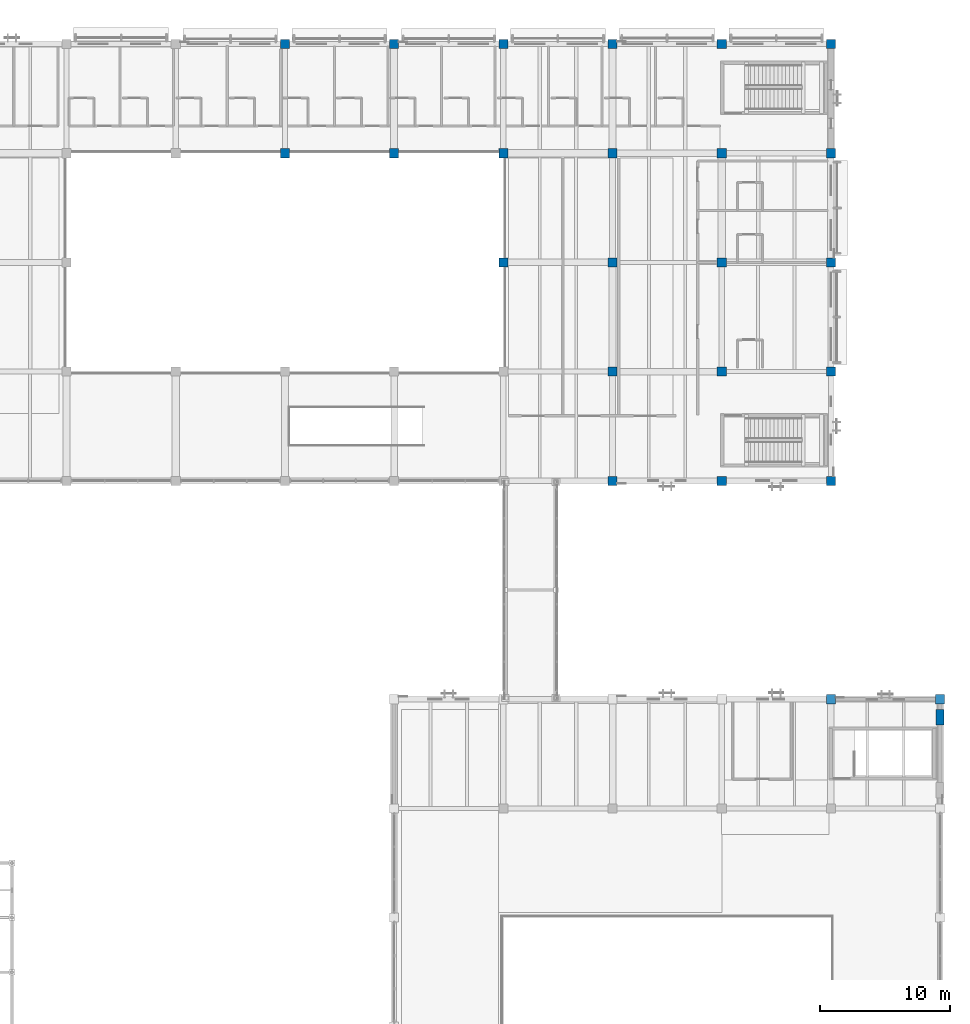
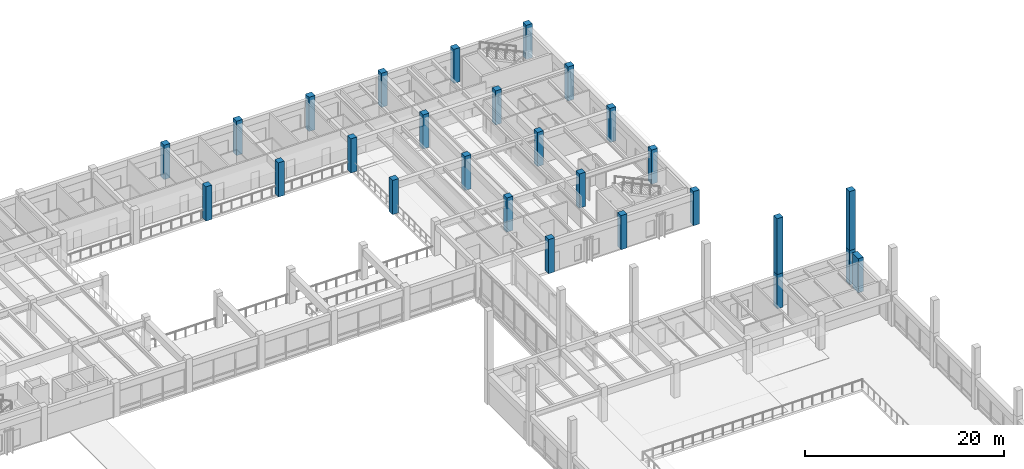
# One storey, part 8 of 132: 27 columns.
"""IFC4 building model written with IfcOpenShell, lengths in metres."""

import ifcopenshell
import ifcopenshell.guid

model = None  # the IFC model being written
_history = None  # IfcOwnerHistory: only IFC2X3 demands one
_inside = {}  # id of a spatial element -> (the spatial element, [elements in it])
_under = {}  # id of a project, library or spatial element -> (it, [spatial elements below it])
_declared = {}  # id of a project -> (the project, [libraries it declares])
_typed = {}  # id of a type object -> (the type object, [elements of that type])
_made_of = {}  # id of a material, layer set ... -> (it, [elements and type objects made of it])


def new_model(schema):
    """Start an empty IFC model of exactly this schema.

    Asked for "IFC4X3", IfcOpenShell would pick the latest addendum, in which some entities
    have other attributes; the version numbers below select the first issue.
    IFC2X3 requires an IfcOwnerHistory on every rooted entity: one is made here for all.
    """
    global model, _history
    if schema == "IFC4X3":
        model = ifcopenshell.file(schema_version=(4, 3, 0, 0))
    else:
        model = ifcopenshell.file(schema=schema)
    _inside.clear()
    _under.clear()
    _declared.clear()
    _typed.clear()
    _made_of.clear()
    _history = None
    if model.schema == "IFC2X3":
        org = make("IfcOrganization", Name="unknown")
        user = make(
            "IfcPersonAndOrganization",
            ThePerson=make("IfcPerson", FamilyName="unknown"),
            TheOrganization=org,
        )
        app = make(
            "IfcApplication",
            ApplicationDeveloper=org,
            Version="unknown",
            ApplicationFullName="unknown",
            ApplicationIdentifier="unknown",
        )
        _history = make(
            "IfcOwnerHistory",
            OwningUser=user,
            OwningApplication=app,
            ChangeAction="ADDED",
            CreationDate=0,
        )
    return model


def make(cls, **values):
    """One entity of the class cls with the attributes given. An attribute that is None is left unset."""
    return model.create_entity(
        cls, **{name: value for name, value in values.items() if value is not None}
    )


def rooted(cls, **values):
    """An entity with a GlobalId (a new one), such as an element, a storey or a relation."""
    return make(cls, GlobalId=ifcopenshell.guid.new(), OwnerHistory=_history, **values)


def si_unit(unit_type, name, prefix=None):
    """IfcSIUnit, for example si_unit("LENGTHUNIT", "METRE", prefix="MILLI")."""
    return make("IfcSIUnit", UnitType=unit_type, Prefix=prefix, Name=name)


def assignment(units):
    """IfcUnitAssignment: the units of a project."""
    return None if units is None else make("IfcUnitAssignment", Units=units)


def point(xyz):
    """IfcCartesianPoint."""
    return None if xyz is None else make("IfcCartesianPoint", Coordinates=xyz)


def direction(xyz):
    """IfcDirection."""
    return None if xyz is None else make("IfcDirection", DirectionRatios=xyz)


def frame(location, z_axis=None, x_axis=None):
    """IfcAxis2Placement3D, a coordinate frame: its origin and axes. An axis left out is left unset."""
    return make(
        "IfcAxis2Placement3D",
        Location=point(location),
        Axis=direction(z_axis),
        RefDirection=direction(x_axis),
    )


def frame_2d(location, x_axis=None):
    """IfcAxis2Placement2D, a coordinate frame in the plane: its origin and x axis."""
    return make(
        "IfcAxis2Placement2D", Location=point(location), RefDirection=direction(x_axis)
    )


def origin():
    """The frame at (0, 0, 0) with its axes left unset."""
    return frame((0.0, 0.0, 0.0))


def origin_2d():
    """The frame at (0, 0) in the plane with its x axis left unset."""
    return frame_2d((0.0, 0.0))


def place(relative_to, where):
    """IfcLocalPlacement: puts the frame where relative to a parent placement (None: the world)."""
    return make(
        "IfcLocalPlacement", PlacementRelTo=relative_to, RelativePlacement=where
    )


def context(
    kind, dimensions, precision=None, world=None, true_north=None, identifier=None
):
    """IfcGeometricRepresentationContext, for example the 3D "Model" context."""
    return make(
        "IfcGeometricRepresentationContext",
        ContextIdentifier=identifier,
        ContextType=kind,
        CoordinateSpaceDimension=dimensions,
        Precision=precision,
        WorldCoordinateSystem=world,
        TrueNorth=true_north,
    )


def subcontext(parent, identifier, kind, view, scale=None):
    """IfcGeometricRepresentationSubContext, for example "Body" below "Model"."""
    return make(
        "IfcGeometricRepresentationSubContext",
        ContextIdentifier=identifier,
        ContextType=kind,
        ParentContext=parent,
        TargetScale=scale,
        TargetView=view,
    )


def project(units=None, contexts=None):
    """IfcProject with its units and contexts."""
    return rooted(
        "IfcProject",
        Name="project",
        RepresentationContexts=contexts,
        UnitsInContext=assignment(units),
    )


def spatial(cls, under=None, at=None, **own):
    """A site, building, storey or space (cls), placed at a placement, below another one or the project."""
    s = rooted(cls, ObjectPlacement=at, **own)
    if under is not None:
        _under.setdefault(under.id(), (under, []))[1].append(s)
    return s


def profile(cls, at=None, kind="AREA", **sizes):
    """A parametric profile (cls). Its sizes go by their IFC names, for example OverallWidth=200.0."""
    return make(cls, ProfileType=kind, Position=at, **sizes)


def rectangle(**sizes):
    """IfcRectangleProfileDef."""
    return profile("IfcRectangleProfileDef", **sizes)


def extrude(swept, where, along, depth):
    """IfcExtrudedAreaSolid: the profile swept, set in the frame where, extruded along a direction by depth."""
    return make(
        "IfcExtrudedAreaSolid",
        SweptArea=swept,
        Position=where,
        ExtrudedDirection=direction(along),
        Depth=depth,
    )


def shape(context_of_items, identifier, shape_type, items):
    """IfcShapeRepresentation: the items that make up one representation, for example the "Body"."""
    return make(
        "IfcShapeRepresentation",
        ContextOfItems=context_of_items,
        RepresentationIdentifier=identifier,
        RepresentationType=shape_type,
        Items=items,
    )


def material(Name=None, Category=None):
    """IfcMaterial."""
    return make("IfcMaterial", Name=Name, Category=Category)


def material_profile(
    of_material, cross_section, Name=None, Category=None, Priority=None
):
    """IfcMaterialProfile: a cross section and its material."""
    return make(
        "IfcMaterialProfile",
        Name=Name,
        Material=of_material,
        Profile=cross_section,
        Priority=Priority,
        Category=Category,
    )


def profile_set(profiles, Name=None, composite=None):
    """IfcMaterialProfileSet."""
    return make(
        "IfcMaterialProfileSet",
        Name=Name,
        MaterialProfiles=profiles,
        CompositeProfile=composite,
    )


def made_of(thing, what):
    """Note that an element or type object is made of a material, layer set ...; save() writes the relation."""
    if what is not None:
        _made_of.setdefault(what.id(), (what, []))[1].append(thing)
    return thing


def type_object(cls, material=None, **own):
    """A type object (cls), such as IfcWallType, which elements share."""
    return made_of(rooted(cls, **own), material)


def element(
    cls,
    number,
    at=None,
    inside=None,
    cuts=None,
    type_object=None,
    material=None,
    context=None,
    identifier="Body",
    shape_type=None,
    held_by="IfcProductDefinitionShape",
    body=None,
    shapes=None,
    **own,
):
    """One element of the class cls, such as IfcWall. Its Tag is "e" and its number.

    at: its placement. inside: the storey or other place that contains it. cuts: it is an
    opening in that element (IfcRelVoidsElement). A single representation is given by context,
    identifier, shape_type and body (its items); several are given by shapes. held_by: the class
    of the entity that holds the representations. save() writes the other relations.
    """
    e = rooted(cls, Tag="e%d" % number, ObjectPlacement=at, **own)
    if body is not None:
        shapes = [shape(context, identifier, shape_type, body)]
    if shapes is not None:
        e.Representation = make(held_by, Representations=shapes)
    if inside is not None:
        _inside.setdefault(inside.id(), (inside, []))[1].append(e)
    if cuts is not None:
        rooted(
            "IfcRelVoidsElement", RelatingBuildingElement=cuts, RelatedOpeningElement=e
        )
    if type_object is not None:
        _typed.setdefault(type_object.id(), (type_object, []))[1].append(e)
    return made_of(e, material)


def aggregate(whole, parts):
    """IfcRelAggregates: a whole, such as a stair, and the parts it consists of."""
    return rooted("IfcRelAggregates", RelatingObject=whole, RelatedObjects=parts)


def save(model, path):
    """Write the relations noted so far, then the file.

    IfcRelAggregates (storeys below a building ...), IfcRelContainedInSpatialStructure (elements
    in a storey), IfcRelDefinesByType, IfcRelAssociatesMaterial and IfcRelDeclares: one each for
    every whole, place, type object, material and project.
    """
    for whole, parts in _under.values():
        aggregate(whole, parts)
    for where, things in _inside.values():
        rooted(
            "IfcRelContainedInSpatialStructure",
            RelatedElements=things,
            RelatingStructure=where,
        )
    for kind, things in _typed.values():
        rooted("IfcRelDefinesByType", RelatedObjects=things, RelatingType=kind)
    for what, things in _made_of.values():
        rooted("IfcRelAssociatesMaterial", RelatedObjects=things, RelatingMaterial=what)
    for by, libraries in _declared.values():
        rooted("IfcRelDeclares", RelatingContext=by, RelatedDefinitions=libraries)
    model.write(path)


model = new_model("IFC4")

# Units and contexts
model_context = context("Model", 3, precision=1e-05, world=origin(), true_north=direction((0.0, 1.0)))
body_context = subcontext(model_context, "Body", "Model", "MODEL_VIEW")
ifc_project = project(units=[si_unit("LENGTHUNIT", "METRE"), si_unit("AREAUNIT", "SQUARE_METRE"), si_unit("VOLUMEUNIT", "CUBIC_METRE"), si_unit("PLANEANGLEUNIT", "RADIAN"), si_unit("MASSUNIT", "GRAM", prefix="KILO")], contexts=[model_context])

# Site, building, storey
site_placement = place(None, origin())
site = spatial("IfcSite", under=ifc_project, at=site_placement, CompositionType="ELEMENT")
building_placement = place(site_placement, origin())
building = spatial("IfcBuilding", under=site, at=building_placement, Name="Cumbredor Promenade Congress Hotel", CompositionType="ELEMENT")
storey_placement = place(building_placement, frame((0.0, 0.0, 7.56005859375)))
storey = spatial("IfcBuildingStorey", under=building, at=storey_placement, Name="L02", CompositionType="ELEMENT", Elevation=7.56005859375)

# Columns
ifc_material_1 = material(Name="Concrete C40/50", Category="concrete")
ifc_material_profile_1 = material_profile(ifc_material_1, rectangle(XDim=0.699951171875, YDim=0.699951171875, at=origin_2d()), Name="RC 700x700")
ifc_profile_set_1 = profile_set([ifc_material_profile_1], Name="Concrete C40/50")
column_type_1 = type_object("IfcColumnType", Name="COL-RC-700", PredefinedType="COLUMN", material=ifc_profile_set_1)
for number, where, z_axis, x_axis, name in (
    (1, (134.39990234375, 109.199951171875, 0.0), (0.0, 0.0, 1.0), (1.0, 0.0, 0.0), "L02 Structural Column 127"),
    (2, (134.39990234375, 117.60009765625, 0.0), (0.0, 0.0, 1.0), (1.0, 0.0, 0.0), "L02 Structural Column 128"),
    (3, (142.800048828125, 109.199951171875, 0.0), (0.0, 0.0, 1.0), (1.0, 0.0, 0.0), "L02 Structural Column 139"),
    (4, (142.800048828125, 117.60009765625, 0.0), (0.0, 0.0, 1.0), (1.0, 0.0, 0.0), "L02 Structural Column 140"),
    (5, (151.199951171875, 100.800048828125, 0.0), (0.0, 0.0, 1.0), (1.0, 0.0, 0.0), "L02 Structural Column 147"),
    (6, (151.199951171875, 109.199951171875, 0.0), (0.0, 0.0, 1.0), (1.0, 0.0, 0.0), "L02 Structural Column 148"),
    (7, (151.199951171875, 117.60009765625, 0.0), (0.0, 0.0, 1.0), (1.0, 0.0, 0.0), "L02 Structural Column 149"),
    (8, (159.60009765625, 84.0, 0.0), (0.0, 0.0, 1.0), (1.0, 0.0, 0.0), "L02 Structural Column 154"),
    (9, (159.60009765625, 92.39990234375, 0.0), (0.0, 0.0, 1.0), (1.0, 0.0, 0.0), "L02 Structural Column 155"),
    (10, (159.60009765625, 100.800048828125, 0.0), (0.0, 0.0, 1.0), (1.0, 0.0, 0.0), "L02 Structural Column 156"),
    (11, (159.60009765625, 109.199951171875, 0.0), (0.0, 0.0, 1.0), (1.0, 0.0, 0.0), "L02 Structural Column 157"),
    (12, (159.60009765625, 117.60009765625, 0.0), (0.0, 0.0, 1.0), (1.0, 0.0, 0.0), "L02 Structural Column 158"),
    (13, (168.0, 84.0, 0.0), (0.0, 0.0, 1.0), (1.0, 0.0, 0.0), "L02 Structural Column 163"),
    (14, (168.0, 92.39990234375, 0.0), (0.0, 0.0, 1.0), (1.0, 0.0, 0.0), "L02 Structural Column 164"),
    (15, (168.0, 100.800048828125, 0.0), (0.0, 0.0, 1.0), (1.0, 0.0, 0.0), "L02 Structural Column 165"),
    (16, (168.0, 109.199951171875, 0.0), (0.0, 0.0, 1.0), (1.0, 0.0, 0.0), "L02 Structural Column 166"),
    (17, (168.0, 117.60009765625, 0.0), (0.0, 0.0, 1.0), (1.0, 0.0, 0.0), "L02 Structural Column 167"),
    (18, (176.39990234375, 67.199951171875, 0.0), (0.0, 0.0, 1.0), (1.0, 0.0, 0.0), "L02 Structural Column 171"),
    (19, (176.39990234375, 84.0, 0.0), (0.0, 0.0, 1.0), (1.0, 0.0, 0.0), "L02 Structural Column 172"),
    (20, (176.39990234375, 92.39990234375, 0.0), (0.0, 0.0, 1.0), (1.0, 0.0, 0.0), "L02 Structural Column 173"),
    (21, (176.39990234375, 100.800048828125, 0.0), (0.0, 0.0, 1.0), (1.0, 0.0, 0.0), "L02 Structural Column 174"),
    (22, (176.39990234375, 109.199951171875, 0.0), (0.0, 0.0, 1.0), (1.0, 0.0, 0.0), "L02 Structural Column 175"),
    (23, (176.39990234375, 117.60009765625, 0.0), (0.0, 0.0, 1.0), (1.0, 0.0, 0.0), "L02 Structural Column 176"),
    (24, (184.800048828125, 67.199951171875, 0.0), (0.0, 0.0, 1.0), (1.0, 0.0, 0.0), "L02 Structural Column 184"),
):
    element("IfcColumn", number, at=place(storey_placement, frame(where, z_axis=z_axis, x_axis=x_axis)), inside=storey, type_object=column_type_1, Name=name, PredefinedType="COLUMN", context=body_context, shape_type="SweptSolid", body=[
        extrude(rectangle(XDim=0.699951171875, YDim=0.699951171875, at=origin_2d()), origin(), (0.0, 0.0, 1.0), 4.199951171875),
    ])
column_1_placement = place(storey_placement, frame((176.39990234375, 67.199951171875, 4.199951171875), z_axis=(0.0, 0.0, 1.0), x_axis=(1.0, 0.0, 0.0)))
element("IfcColumn", 25, at=column_1_placement, inside=storey, type_object=column_type_1, Name="Grand Ballroom Pavilion Clerestory Column Extension 16", PredefinedType="COLUMN", context=body_context, shape_type="SweptSolid", body=[
    extrude(rectangle(XDim=0.699951171875, YDim=0.699951171875, at=origin_2d()), origin(), (0.0, 0.0, 1.0), 6.8505859375),
])
column_2_placement = place(storey_placement, frame((184.800048828125, 67.199951171875, 4.199951171875), z_axis=(0.0, 0.0, 1.0), x_axis=(1.0, 0.0, 0.0)))
element("IfcColumn", 26, at=column_2_placement, inside=storey, type_object=column_type_1, Name="Grand Ballroom Pavilion Clerestory Column Extension 24", PredefinedType="COLUMN", context=body_context, shape_type="SweptSolid", body=[
    extrude(rectangle(XDim=0.699951171875, YDim=0.699951171875, at=origin_2d()), origin(), (0.0, 0.0, 1.0), 7.244384765625),
])
ifc_material_2 = material(Name="Concrete C50/60", Category="concrete")
ifc_material_profile_2 = material_profile(ifc_material_2, rectangle(XDim=0.60009765625, YDim=1.199951171875, at=origin_2d()), Name="RC PILASTER 1200x600")
ifc_profile_set_2 = profile_set([ifc_material_profile_2], Name="Concrete C50/60")
column_type_2 = type_object("IfcColumnType", Name="PIL-RC-1200x600", PredefinedType="PILASTER", material=ifc_profile_set_2)
column_3_placement = place(storey_placement, frame((184.800048828125, 65.800048828125, 0.0), z_axis=(0.0, 0.0, 1.0), x_axis=(1.0, 0.0, 0.0)))
element("IfcColumn", 27, at=column_3_placement, inside=storey, type_object=column_type_2, Name="L02 Acoustic Seismic Pilaster 040", PredefinedType="PILASTER", context=body_context, shape_type="SweptSolid", body=[
    extrude(rectangle(XDim=0.60009765625, YDim=1.199951171875, at=origin_2d()), origin(), (0.0, 0.0, 1.0), 4.199951171875),
])

save(model, "model.ifc")
